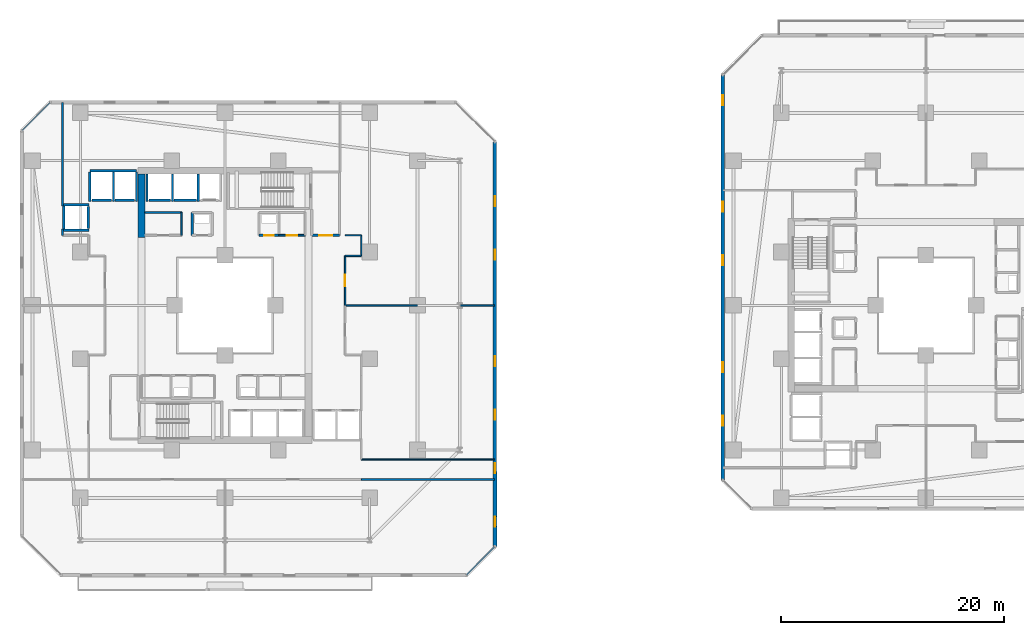
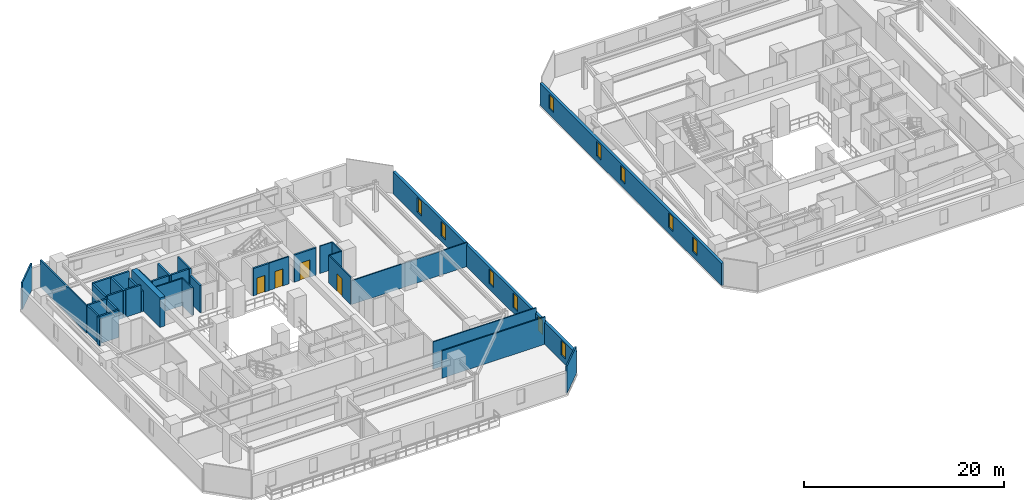
# One storey, part 22 of 34: 35 walls, 11 windows, 4 doors, 15 openings.
"""IFC4 building model written with IfcOpenShell, lengths in metres."""

from ifc_helpers import new_model, si_unit, direction, frame, frame_2d, origin, place, context, subcontext, project, spatial, rectangle, extrude, material, layer, layer_set, type_object, element, fill, save


model = new_model("IFC4")

# Units and contexts
model_context = context("Model", 3, precision=1e-05, world=origin(), true_north=direction((0.0, 1.0)))
body_context = subcontext(model_context, "Body", "Model", "MODEL_VIEW")
ifc_project = project(units=[si_unit("LENGTHUNIT", "METRE"), si_unit("AREAUNIT", "SQUARE_METRE"), si_unit("VOLUMEUNIT", "CUBIC_METRE"), si_unit("PLANEANGLEUNIT", "RADIAN"), si_unit("MASSUNIT", "GRAM", prefix="KILO")], contexts=[model_context])

# Site, building, storey
site_placement = place(None, origin())
site = spatial("IfcSite", under=ifc_project, at=site_placement, CompositionType="ELEMENT")
building_placement = place(site_placement, origin())
building = spatial("IfcBuilding", under=site, at=building_placement, Name="Thornwick Lancets Civic Towers", CompositionType="ELEMENT")
storey_placement = place(building_placement, frame((0.0, 0.0, 57.300048828125)))
storey = spatial("IfcBuildingStorey", under=building, at=storey_placement, Name="L14", CompositionType="ELEMENT", Elevation=57.300048828125)

# Walls
ifc_material_1 = material(Name="Concrete blockwork C40/50", Category="masonry")
ifc_layer_1 = layer(ifc_material_1, 0.199951171875, Name="Concrete blockwork C40/50")
ifc_layer_set_1 = layer_set([ifc_layer_1], Name="Concrete blockwork C40/50")
wall_type_1 = type_object("IfcWallType", Name="WALL_COMP_200", PredefinedType="STANDARD", material=ifc_layer_set_1)
wall_1_placement = place(storey_placement, frame((22.919921875, 36.449951171875, 0.0), z_axis=(0.0, 0.0, 1.0), x_axis=(-1.0, 0.0, 0.0)))
element("IfcWall", 1, at=wall_1_placement, inside=storey, type_object=wall_type_1, Name="L14 Hoistway Front Wall PL-AH2", PredefinedType="STANDARD", context=body_context, shape_type="SweptSolid", body=[
    extrude(rectangle(XDim=1.989990234375, YDim=0.199951171875, at=frame_2d((0.9951171875, 0.0))), origin(), (0.0, 0.0, 1.0), 3.33984375),
])
wall_2_placement = place(storey_placement, frame((20.6201171875, 36.449951171875, 0.0), z_axis=(0.0, 0.0, 1.0), x_axis=(-1.0, 0.0, 0.0)))
element("IfcWall", 2, at=wall_2_placement, inside=storey, type_object=wall_type_1, Name="L14 Hoistway Front Wall PL-AH3", PredefinedType="STANDARD", context=body_context, shape_type="SweptSolid", body=[
    extrude(rectangle(XDim=1.940185546875, YDim=0.199951171875, at=frame_2d((0.97021484375, 0.0))), origin(), (0.0, 0.0, 1.0), 3.33984375),
])
wall_3_placement = place(storey_placement, frame((17.3701171875, 36.449951171875, 0.0), z_axis=(0.0, 0.0, 1.0), x_axis=(-1.0, 0.0, 0.0)))
element("IfcWall", 3, at=wall_3_placement, inside=storey, type_object=wall_type_1, Name="L14 Hoistway Front Wall PL-AM1", PredefinedType="STANDARD", context=body_context, shape_type="SweptSolid", body=[
    extrude(rectangle(XDim=1.740234375, YDim=0.199951171875, at=frame_2d((0.8701171875, 0.0))), origin(), (0.0, 0.0, 1.0), 3.33984375),
])
wall_4_placement = place(storey_placement, frame((15.320068359375, 36.449951171875, 0.0), z_axis=(0.0, 0.0, 1.0), x_axis=(-1.0, 0.0, 0.0)))
element("IfcWall", 4, at=wall_4_placement, inside=storey, type_object=wall_type_1, Name="L14 Hoistway Front Wall PL-AM2", PredefinedType="STANDARD", context=body_context, shape_type="SweptSolid", body=[
    extrude(rectangle(XDim=1.7900390625, YDim=0.199951171875, at=frame_2d((0.89501953125, 0.0))), origin(), (0.0, 0.0, 1.0), 3.33984375),
])
wall_5_placement = place(storey_placement, frame((13.199951171875, 33.929931640625, 0.0), z_axis=(0.0, 0.0, 1.0), x_axis=(0.0, 1.0, 0.0)))
element("IfcWall", 5, at=wall_5_placement, inside=storey, type_object=wall_type_1, Name="L14 Hoistway Front Wall PL-AM3", PredefinedType="STANDARD", context=body_context, shape_type="SweptSolid", body=[
    extrude(rectangle(XDim=1.940185546875, YDim=0.199951171875, at=frame_2d((0.97021484375, 0.0))), origin(), (0.0, 0.0, 1.0), 3.33984375),
])
for number, where, z_axis, x_axis, name in (
    (6, (23.10009765625, 36.35205078125, 0.0), (0.0, 0.0, 1.0), (0.0, 1.0, 0.0), "L14 Hoistway Shaft Wall FL-A2 W"),
    (7, (20.77490234375, 36.35205078125, 0.0), (0.0, 0.0, 1.0), (0.0, 1.0, 0.0), "L14 Hoistway Shaft Wall PL-AH2 W"),
    (8, (18.5, 36.35205078125, 0.0), (0.0, 0.0, 1.0), (0.0, 1.0, 0.0), "L14 Hoistway Shaft Wall PL-AH3 W"),
):
    element("IfcWall", number, at=place(storey_placement, frame(where, z_axis=z_axis, x_axis=x_axis)), inside=storey, type_object=wall_type_1, Name=name, PredefinedType="STANDARD", context=body_context, shape_type="SweptSolid", body=[
        extrude(rectangle(XDim=2.43603515625, YDim=0.199951171875, at=frame_2d((1.218017578125, 0.0))), origin(), (0.0, 0.0, 1.0), 3.33984375),
    ])
wall_6_placement = place(storey_placement, frame((13.35205078125, 39.10009765625, 0.0), z_axis=(0.0, 0.0, 1.0), x_axis=(1.0, 0.0, 0.0)))
element("IfcWall", 9, at=wall_6_placement, inside=storey, type_object=wall_type_1, Name="L14 Hoistway Shaft Wall PL-AM1 N", PredefinedType="STANDARD", context=body_context, shape_type="SweptSolid", body=[
    extrude(rectangle(XDim=4.196044921875, YDim=0.199951171875, at=frame_2d((2.09814453125, 0.0))), origin(), (0.0, 0.0, 1.0), 3.33984375),
])
wall_7_placement = place(storey_placement, frame((17.550048828125, 36.35205078125, 0.0), z_axis=(0.0, 0.0, 1.0), x_axis=(0.0, 1.0, 0.0)))
element("IfcWall", 10, at=wall_7_placement, inside=storey, type_object=wall_type_1, Name="L14 Hoistway Shaft Wall PL-AM1 E", PredefinedType="STANDARD", context=body_context, shape_type="SweptSolid", body=[
    extrude(rectangle(XDim=2.635986328125, YDim=0.199951171875, at=frame_2d((1.31787109375, 0.0))), origin(), (0.0, 0.0, 1.0), 2.544921875),
])
for number, where, z_axis, x_axis, name in (
    (11, (15.47509765625, 36.35205078125, 0.0), (0.0, 0.0, 1.0), (0.0, 1.0, 0.0), "L14 Hoistway Shaft Wall PL-AM1 W"),
    (12, (13.35009765625, 36.35205078125, 0.0), (0.0, 0.0, 1.0), (0.0, 1.0, 0.0), "L14 Hoistway Shaft Wall PL-AM2 W"),
):
    element("IfcWall", number, at=place(storey_placement, frame(where, z_axis=z_axis, x_axis=x_axis)), inside=storey, type_object=wall_type_1, Name=name, PredefinedType="STANDARD", context=body_context, shape_type="SweptSolid", body=[
        extrude(rectangle(XDim=2.635986328125, YDim=0.199951171875, at=frame_2d((1.31787109375, 0.0))), origin(), (0.0, 0.0, 1.0), 3.33984375),
    ])
for number, where, z_axis, x_axis, name in (
    (13, (11.001953125, 36.050048828125, 0.0), (0.0, 0.0, 1.0), (1.0, 0.0, 0.0), "L14 Hoistway Shaft Wall PL-AM3 N"),
    (14, (11.001953125, 33.75, 0.0), (0.0, 0.0, 1.0), (1.0, 0.0, 0.0), "L14 Hoistway Shaft Wall PL-AM3 S"),
):
    element("IfcWall", number, at=place(storey_placement, frame(where, z_axis=z_axis, x_axis=x_axis)), inside=storey, type_object=wall_type_1, Name=name, PredefinedType="STANDARD", context=body_context, shape_type="SweptSolid", body=[
        extrude(rectangle(XDim=2.296142578125, YDim=0.199951171875, at=frame_2d((1.14794921875, 0.0))), origin(), (0.0, 0.0, 1.0), 3.33984375),
    ])
wall_8_placement = place(storey_placement, frame((11.0, 33.862060546875, 0.0), z_axis=(0.0, 0.0, 1.0), x_axis=(0.0, 1.0, 0.0)))
element("IfcWall", 15, at=wall_8_placement, inside=storey, type_object=wall_type_1, Name="L14 Hoistway Shaft Wall PL-AM3 W", PredefinedType="STANDARD", context=body_context, shape_type="SweptSolid", body=[
    extrude(rectangle(XDim=2.075927734375, YDim=0.199951171875, at=frame_2d((1.0380859375, 0.0))), origin(), (0.0, 0.0, 1.0), 3.33984375),
])

# Wall, opening, door
wall_9_placement = place(storey_placement, frame((33.300048828125, 33.300048828125, 0.0), z_axis=(0.0, 0.0, 1.0), x_axis=(1.0, 0.0, 0.0)))
wall_9 = element("IfcWall", 16, at=wall_9_placement, inside=storey, type_object=wall_type_1, Name="L14 Partition L14-A-FFLOB2 E1", PredefinedType="STANDARD", context=body_context, shape_type="SweptSolid", body=[
    extrude(rectangle(XDim=2.5, YDim=0.199951171875, at=frame_2d((1.25, 0.0))), origin(), (0.0, 0.0, 1.0), 3.33984375),
])
opening_1_placement = place(wall_9_placement, frame((0.675048828125, 0.0, 0.0)))
opening_1 = element("IfcOpeningElement", 17, at=opening_1_placement, cuts=wall_9, Name="Opening D-L14-0664", PredefinedType="OPENING", context=body_context, shape_type="SweptSolid", body=[
    extrude(rectangle(XDim=1.14990234375, YDim=2.10009765625, at=frame_2d((0.574951171875, 1.050048828125))), frame((0.0, 0.10986328125, 0.0), z_axis=(0.0, -1.0, 0.0), x_axis=(1.0, 0.0, 0.0)), (0.0, 0.0, 1.0), 0.219970703125),
])
ifc_material_2 = material(Name="Glazed fire-resisting steel", Category="steel")
door_type_1 = type_object("IfcDoorType", Name="DOOR_LOBBY_FD60", OperationType="NOTDEFINED", PredefinedType="DOOR", material=ifc_material_2)
door_1_placement = place(opening_1_placement, origin())
door_1 = element("IfcDoor", 18, at=door_1_placement, inside=storey, type_object=door_type_1, Name="L14 North Firefighting Lobby 2 Door", OperationType="SINGLE_SWING_LEFT", OverallHeight=2.10009765625, OverallWidth=1.14990234375, PredefinedType="DOOR", context=body_context, shape_type="SweptSolid", body=[
    extrude(rectangle(XDim=1.14990234375, YDim=2.10009765625, at=frame_2d((0.574951171875, 1.050048828125))), frame((0.0, 0.02490234375, 0.0), z_axis=(0.0, -1.0, 0.0), x_axis=(1.0, 0.0, 0.0)), (0.0, 0.0, 1.0), 0.050048828125),
])
fill(opening_1, door_1)

# Wall
wall_10_placement = place(storey_placement, frame((22.550048828125, 35.35009765625, 0.0), z_axis=(0.0, 0.0, 1.0), x_axis=(0.0, -1.0, 0.0)))
element("IfcWall", 19, at=wall_10_placement, inside=storey, type_object=wall_type_1, Name="L14 Partition L14-A-DUCT2 E4", PredefinedType="STANDARD", context=body_context, shape_type="SweptSolid", body=[
    extrude(rectangle(XDim=2.050048828125, YDim=0.199951171875, at=frame_2d((1.02490234375, 0.0))), origin(), (0.0, 0.0, 1.0), 3.33984375),
])

# Wall, opening, door
wall_11_placement = place(storey_placement, frame((28.550048828125, 33.300048828125, 0.0), z_axis=(0.0, 0.0, 1.0), x_axis=(1.0, 0.0, 0.0)))
wall_11 = element("IfcWall", 20, at=wall_11_placement, inside=storey, type_object=wall_type_1, Name="L14 Partition L14-A-RISER2 E1", PredefinedType="STANDARD", context=body_context, shape_type="SweptSolid", body=[
    extrude(rectangle(XDim=1.800048828125, YDim=0.199951171875, at=frame_2d((0.89990234375, 0.0))), origin(), (0.0, 0.0, 1.0), 3.33984375),
])
opening_2_placement = place(wall_11_placement, frame((0.4599609375, 0.0, 0.0)))
opening_2 = element("IfcOpeningElement", 21, at=opening_2_placement, cuts=wall_11, Name="Opening D-L14-0668", PredefinedType="OPENING", context=body_context, shape_type="SweptSolid", body=[
    extrude(rectangle(XDim=0.8798828125, YDim=2.0400390625, at=frame_2d((0.43994140625, 1.02001953125))), frame((0.0, 0.10986328125, 0.0), z_axis=(0.0, -1.0, 0.0), x_axis=(1.0, 0.0, 0.0)), (0.0, 0.0, 1.0), 0.219970703125),
])
ifc_material_3 = material(Name="Steel riser access doorset", Category="steel")
door_type_2 = type_object("IfcDoorType", Name="DOOR_RISER_850", OperationType="NOTDEFINED", PredefinedType="DOOR", material=ifc_material_3)
door_2_placement = place(opening_2_placement, origin())
door_2 = element("IfcDoor", 22, at=door_2_placement, inside=storey, type_object=door_type_2, Name="L14 North Service Riser 2 Door", OperationType="SINGLE_SWING_LEFT", OverallHeight=2.0400390625, OverallWidth=0.8798828125, PredefinedType="DOOR", context=body_context, shape_type="SweptSolid", body=[
    extrude(rectangle(XDim=0.8798828125, YDim=2.0400390625, at=frame_2d((0.43994140625, 1.02001953125))), frame((0.0, 0.02490234375, 0.0), z_axis=(0.0, -1.0, 0.0), x_axis=(1.0, 0.0, 0.0)), (0.0, 0.0, 1.0), 0.050048828125),
])
fill(opening_2, door_2)

# Wall
ifc_material_4 = material(Name="Concrete C60/75", Category="concrete")
ifc_layer_2 = layer(ifc_material_4, 0.60009765625, Name="Concrete C60/75")
ifc_layer_set_2 = layer_set([ifc_layer_2], Name="Concrete C60/75")
wall_type_2 = type_object("IfcWallType", Name="WALL_CORE_600", PredefinedType="SHEAR", material=ifc_layer_set_2)
wall_12_placement = place(storey_placement, frame((18.0, 33.10009765625, 0.0), z_axis=(0.0, 0.0, 1.0), x_axis=(0.0, 1.0, 0.0)))
element("IfcWall", 23, at=wall_12_placement, inside=storey, type_object=wall_type_2, Name="L14 Split Core A2 Shear Wall W", PredefinedType="SHEAR", context=body_context, shape_type="SweptSolid", body=[
    extrude(rectangle(XDim=5.699951171875, YDim=0.60009765625, at=frame_2d((2.85009765625, 0.0))), origin(), (0.0, 0.0, 1.0), 3.599853515625),
])

# Wall, openings, windows
ifc_material_5 = material(Name="Insulated buff terracotta rainscreen on concrete C40/50", Category="masonry")
ifc_layer_3 = layer(ifc_material_5, 0.320068359375, Name="Insulated buff terracotta rainscreen on concrete C40/50")
ifc_layer_set_3 = layer_set([ifc_layer_3], Name="Insulated buff terracotta rainscreen on concrete C40/50")
wall_type_3 = type_object("IfcWallType", Name="WALL_EXT_TERRA_320", PredefinedType="STANDARD", material=ifc_layer_set_3)
wall_13_placement = place(storey_placement, frame((49.764892578125, 5.31884765625, 0.0), z_axis=(0.0, 0.0, 1.0), x_axis=(-8.7231344e-05, 0.999999996195, 0.0)))
wall_13 = element("IfcWall", 24, at=wall_13_placement, inside=storey, type_object=wall_type_3, Name="L14 Tower A Terracotta Facade Wall E2", PredefinedType="STANDARD", context=body_context, shape_type="SweptSolid", body=[
    extrude(rectangle(XDim=36.384033203125, YDim=0.320068359375, at=frame_2d((18.19189453125, 0.0))), origin(), (0.0, 0.0, 1.0), 2.699951171875),
])
opening_3_placement = place(wall_13_placement, frame((1.800048828125, 0.0, 0.719970703125)))
opening_3 = element("IfcOpeningElement", 25, at=opening_3_placement, cuts=wall_13, Name="Opening WL-01", PredefinedType="OPENING", context=body_context, shape_type="SweptSolid", body=[
    extrude(rectangle(XDim=0.89990234375, YDim=1.75, at=frame_2d((0.449951171875, 0.875))), frame((0.0, 0.169921875, 0.0), z_axis=(0.0, -1.0, 0.0), x_axis=(1.0, 0.0, 0.0)), (0.0, 0.0, 1.0), 0.340087890625),
])
opening_4_placement = place(wall_13_placement, frame((6.60009765625, 0.0, 0.719970703125)))
opening_4 = element("IfcOpeningElement", 26, at=opening_4_placement, cuts=wall_13, Name="Opening WL-01", PredefinedType="OPENING", context=body_context, shape_type="SweptSolid", body=[
    extrude(rectangle(XDim=0.89990234375, YDim=1.75, at=frame_2d((0.449951171875, 0.875))), frame((0.0, 0.169921875, 0.0), z_axis=(0.0, -1.0, 0.0), x_axis=(1.0, 0.0, 0.0)), (0.0, 0.0, 1.0), 0.340087890625),
])
opening_5_placement = place(wall_13_placement, frame((11.39990234375, 0.0, 0.719970703125)))
opening_5 = element("IfcOpeningElement", 27, at=opening_5_placement, cuts=wall_13, Name="Opening WL-01", PredefinedType="OPENING", context=body_context, shape_type="SweptSolid", body=[
    extrude(rectangle(XDim=0.89990234375, YDim=1.75, at=frame_2d((0.449951171875, 0.875))), frame((0.0, 0.169921875, 0.0), z_axis=(0.0, -1.0, 0.0), x_axis=(1.0, 0.0, 0.0)), (0.0, 0.0, 1.0), 0.340087890625),
])
opening_6_placement = place(wall_13_placement, frame((16.199951171875, 0.0, 0.719970703125)))
opening_6 = element("IfcOpeningElement", 28, at=opening_6_placement, cuts=wall_13, Name="Opening WL-01", PredefinedType="OPENING", context=body_context, shape_type="SweptSolid", body=[
    extrude(rectangle(XDim=0.89990234375, YDim=1.75, at=frame_2d((0.449951171875, 0.875))), frame((0.0, 0.169921875, 0.0), z_axis=(0.0, -1.0, 0.0), x_axis=(1.0, 0.0, 0.0)), (0.0, 0.0, 1.0), 0.340087890625),
])
opening_7_placement = place(wall_13_placement, frame((25.800048828125, 0.0, 0.719970703125)))
opening_7 = element("IfcOpeningElement", 29, at=opening_7_placement, cuts=wall_13, Name="Opening WL-01", PredefinedType="OPENING", context=body_context, shape_type="SweptSolid", body=[
    extrude(rectangle(XDim=0.89990234375, YDim=1.75, at=frame_2d((0.449951171875, 0.875))), frame((0.0, 0.169921875, 0.0), z_axis=(0.0, -1.0, 0.0), x_axis=(1.0, 0.0, 0.0)), (0.0, 0.0, 1.0), 0.340087890625),
])
opening_8_placement = place(wall_13_placement, frame((30.60009765625, 0.0, 0.719970703125)))
opening_8 = element("IfcOpeningElement", 30, at=opening_8_placement, cuts=wall_13, Name="Opening WL-01", PredefinedType="OPENING", context=body_context, shape_type="SweptSolid", body=[
    extrude(rectangle(XDim=0.89990234375, YDim=1.75, at=frame_2d((0.449951171875, 0.875))), frame((0.0, 0.169921875, 0.0), z_axis=(0.0, -1.0, 0.0), x_axis=(1.0, 0.0, 0.0)), (0.0, 0.0, 1.0), 0.340087890625),
])
ifc_material_6 = material(Name="Clear low-e double glazing in bronze frame", Category="glass")
window_type = type_object("IfcWindowType", Name="WIN_LANCET_900", PartitioningType="SINGLE_PANEL", PredefinedType="WINDOW", material=ifc_material_6)
window_1_placement = place(opening_3_placement, origin())
window_1 = element("IfcWindow", 31, at=window_1_placement, inside=storey, type_object=window_type, Name="L14 Tower A Staggered Lancet Window E2-1", OverallHeight=1.75, OverallWidth=0.89990234375, PartitioningType="SINGLE_PANEL", PredefinedType="WINDOW", context=body_context, shape_type="SweptSolid", body=[
    extrude(rectangle(XDim=0.89990234375, YDim=1.75, at=frame_2d((0.449951171875, 0.875))), frame((0.0, 0.030029296875, 0.0), z_axis=(0.0, -1.0, 0.0), x_axis=(1.0, 0.0, 0.0)), (0.0, 0.0, 1.0), 0.06005859375),
])
fill(opening_3, window_1)
window_2_placement = place(opening_4_placement, origin())
window_2 = element("IfcWindow", 32, at=window_2_placement, inside=storey, type_object=window_type, Name="L14 Tower A Staggered Lancet Window E2-2", OverallHeight=1.75, OverallWidth=0.89990234375, PartitioningType="SINGLE_PANEL", PredefinedType="WINDOW", context=body_context, shape_type="SweptSolid", body=[
    extrude(rectangle(XDim=0.89990234375, YDim=1.75, at=frame_2d((0.449951171875, 0.875))), frame((0.0, 0.030029296875, 0.0), z_axis=(0.0, -1.0, 0.0), x_axis=(1.0, 0.0, 0.0)), (0.0, 0.0, 1.0), 0.06005859375),
])
fill(opening_4, window_2)
window_3_placement = place(opening_5_placement, origin())
window_3 = element("IfcWindow", 33, at=window_3_placement, inside=storey, type_object=window_type, Name="L14 Tower A Staggered Lancet Window E2-3", OverallHeight=1.75, OverallWidth=0.89990234375, PartitioningType="SINGLE_PANEL", PredefinedType="WINDOW", context=body_context, shape_type="SweptSolid", body=[
    extrude(rectangle(XDim=0.89990234375, YDim=1.75, at=frame_2d((0.449951171875, 0.875))), frame((0.0, 0.030029296875, 0.0), z_axis=(0.0, -1.0, 0.0), x_axis=(1.0, 0.0, 0.0)), (0.0, 0.0, 1.0), 0.06005859375),
])
fill(opening_5, window_3)
window_4_placement = place(opening_6_placement, origin())
window_4 = element("IfcWindow", 34, at=window_4_placement, inside=storey, type_object=window_type, Name="L14 Tower A Staggered Lancet Window E2-4", OverallHeight=1.75, OverallWidth=0.89990234375, PartitioningType="SINGLE_PANEL", PredefinedType="WINDOW", context=body_context, shape_type="SweptSolid", body=[
    extrude(rectangle(XDim=0.89990234375, YDim=1.75, at=frame_2d((0.449951171875, 0.875))), frame((0.0, 0.030029296875, 0.0), z_axis=(0.0, -1.0, 0.0), x_axis=(1.0, 0.0, 0.0)), (0.0, 0.0, 1.0), 0.06005859375),
])
fill(opening_6, window_4)
window_5_placement = place(opening_7_placement, origin())
window_5 = element("IfcWindow", 35, at=window_5_placement, inside=storey, type_object=window_type, Name="L14 Tower A Staggered Lancet Window E2-5", OverallHeight=1.75, OverallWidth=0.89990234375, PartitioningType="SINGLE_PANEL", PredefinedType="WINDOW", context=body_context, shape_type="SweptSolid", body=[
    extrude(rectangle(XDim=0.89990234375, YDim=1.75, at=frame_2d((0.449951171875, 0.875))), frame((0.0, 0.030029296875, 0.0), z_axis=(0.0, -1.0, 0.0), x_axis=(1.0, 0.0, 0.0)), (0.0, 0.0, 1.0), 0.06005859375),
])
fill(opening_7, window_5)
window_6_placement = place(opening_8_placement, origin())
window_6 = element("IfcWindow", 36, at=window_6_placement, inside=storey, type_object=window_type, Name="L14 Tower A Staggered Lancet Window E2-6", OverallHeight=1.75, OverallWidth=0.89990234375, PartitioningType="SINGLE_PANEL", PredefinedType="WINDOW", context=body_context, shape_type="SweptSolid", body=[
    extrude(rectangle(XDim=0.89990234375, YDim=1.75, at=frame_2d((0.449951171875, 0.875))), frame((0.0, 0.030029296875, 0.0), z_axis=(0.0, -1.0, 0.0), x_axis=(1.0, 0.0, 0.0)), (0.0, 0.0, 1.0), 0.06005859375),
])
fill(opening_8, window_6)

wall_14_placement = place(storey_placement, frame((70.23828125, 47.702880859375, 0.0), z_axis=(0.0, 0.0, 1.0), x_axis=(-8.7231344e-05, -0.999999996195, 0.0)))
wall_14 = element("IfcWall", 37, at=wall_14_placement, inside=storey, type_object=wall_type_3, Name="L14 Tower B Terracotta Facade Wall E6", PredefinedType="STANDARD", context=body_context, shape_type="SweptSolid", body=[
    extrude(rectangle(XDim=36.384033203125, YDim=0.320068359375, at=frame_2d((18.19189453125, 0.0))), origin(), (0.0, 0.0, 1.0), 2.699951171875),
])
opening_9_placement = place(wall_14_placement, frame((1.800048828125, 0.0, 0.719970703125)))
opening_9 = element("IfcOpeningElement", 38, at=opening_9_placement, cuts=wall_14, Name="Opening WL-01", PredefinedType="OPENING", context=body_context, shape_type="SweptSolid", body=[
    extrude(rectangle(XDim=0.89990234375, YDim=1.75, at=frame_2d((0.449951171875, 0.875))), frame((0.0, 0.169921875, 0.0), z_axis=(0.0, -1.0, 0.0), x_axis=(1.0, 0.0, 0.0)), (0.0, 0.0, 1.0), 0.340087890625),
])
opening_10_placement = place(wall_14_placement, frame((11.39990234375, 0.0, 0.719970703125)))
opening_10 = element("IfcOpeningElement", 39, at=opening_10_placement, cuts=wall_14, Name="Opening WL-01", PredefinedType="OPENING", context=body_context, shape_type="SweptSolid", body=[
    extrude(rectangle(XDim=0.89990234375, YDim=1.75, at=frame_2d((0.449951171875, 0.875))), frame((0.0, 0.169921875, 0.0), z_axis=(0.0, -1.0, 0.0), x_axis=(1.0, 0.0, 0.0)), (0.0, 0.0, 1.0), 0.340087890625),
])
opening_11_placement = place(wall_14_placement, frame((16.199951171875, 0.0, 0.719970703125)))
opening_11 = element("IfcOpeningElement", 40, at=opening_11_placement, cuts=wall_14, Name="Opening WL-01", PredefinedType="OPENING", context=body_context, shape_type="SweptSolid", body=[
    extrude(rectangle(XDim=0.89990234375, YDim=1.75, at=frame_2d((0.449951171875, 0.875))), frame((0.0, 0.169921875, 0.0), z_axis=(0.0, -1.0, 0.0), x_axis=(1.0, 0.0, 0.0)), (0.0, 0.0, 1.0), 0.340087890625),
])
opening_12_placement = place(wall_14_placement, frame((25.800048828125, 0.0, 0.719970703125)))
opening_12 = element("IfcOpeningElement", 41, at=opening_12_placement, cuts=wall_14, Name="Opening WL-01", PredefinedType="OPENING", context=body_context, shape_type="SweptSolid", body=[
    extrude(rectangle(XDim=0.89990234375, YDim=1.75, at=frame_2d((0.449951171875, 0.875))), frame((0.0, 0.169921875, 0.0), z_axis=(0.0, -1.0, 0.0), x_axis=(1.0, 0.0, 0.0)), (0.0, 0.0, 1.0), 0.340087890625),
])
opening_13_placement = place(wall_14_placement, frame((30.60009765625, 0.0, 0.719970703125)))
opening_13 = element("IfcOpeningElement", 42, at=opening_13_placement, cuts=wall_14, Name="Opening WL-01", PredefinedType="OPENING", context=body_context, shape_type="SweptSolid", body=[
    extrude(rectangle(XDim=0.89990234375, YDim=1.75, at=frame_2d((0.449951171875, 0.875))), frame((0.0, 0.169921875, 0.0), z_axis=(0.0, -1.0, 0.0), x_axis=(1.0, 0.0, 0.0)), (0.0, 0.0, 1.0), 0.340087890625),
])
window_7_placement = place(opening_9_placement, origin())
window_7 = element("IfcWindow", 43, at=window_7_placement, inside=storey, type_object=window_type, Name="L14 Tower B Staggered Lancet Window E6-1", OverallHeight=1.75, OverallWidth=0.89990234375, PartitioningType="SINGLE_PANEL", PredefinedType="WINDOW", context=body_context, shape_type="SweptSolid", body=[
    extrude(rectangle(XDim=0.89990234375, YDim=1.75, at=frame_2d((0.449951171875, 0.875))), frame((0.0, 0.030029296875, 0.0), z_axis=(0.0, -1.0, 0.0), x_axis=(1.0, 0.0, 0.0)), (0.0, 0.0, 1.0), 0.06005859375),
])
fill(opening_9, window_7)
window_8_placement = place(opening_10_placement, origin())
window_8 = element("IfcWindow", 44, at=window_8_placement, inside=storey, type_object=window_type, Name="L14 Tower B Staggered Lancet Window E6-2", OverallHeight=1.75, OverallWidth=0.89990234375, PartitioningType="SINGLE_PANEL", PredefinedType="WINDOW", context=body_context, shape_type="SweptSolid", body=[
    extrude(rectangle(XDim=0.89990234375, YDim=1.75, at=frame_2d((0.449951171875, 0.875))), frame((0.0, 0.030029296875, 0.0), z_axis=(0.0, -1.0, 0.0), x_axis=(1.0, 0.0, 0.0)), (0.0, 0.0, 1.0), 0.06005859375),
])
fill(opening_10, window_8)
window_9_placement = place(opening_11_placement, origin())
window_9 = element("IfcWindow", 45, at=window_9_placement, inside=storey, type_object=window_type, Name="L14 Tower B Staggered Lancet Window E6-3", OverallHeight=1.75, OverallWidth=0.89990234375, PartitioningType="SINGLE_PANEL", PredefinedType="WINDOW", context=body_context, shape_type="SweptSolid", body=[
    extrude(rectangle(XDim=0.89990234375, YDim=1.75, at=frame_2d((0.449951171875, 0.875))), frame((0.0, 0.030029296875, 0.0), z_axis=(0.0, -1.0, 0.0), x_axis=(1.0, 0.0, 0.0)), (0.0, 0.0, 1.0), 0.06005859375),
])
fill(opening_11, window_9)
window_10_placement = place(opening_12_placement, origin())
window_10 = element("IfcWindow", 46, at=window_10_placement, inside=storey, type_object=window_type, Name="L14 Tower B Staggered Lancet Window E6-4", OverallHeight=1.75, OverallWidth=0.89990234375, PartitioningType="SINGLE_PANEL", PredefinedType="WINDOW", context=body_context, shape_type="SweptSolid", body=[
    extrude(rectangle(XDim=0.89990234375, YDim=1.75, at=frame_2d((0.449951171875, 0.875))), frame((0.0, 0.030029296875, 0.0), z_axis=(0.0, -1.0, 0.0), x_axis=(1.0, 0.0, 0.0)), (0.0, 0.0, 1.0), 0.06005859375),
])
fill(opening_12, window_10)
window_11_placement = place(opening_13_placement, origin())
window_11 = element("IfcWindow", 47, at=window_11_placement, inside=storey, type_object=window_type, Name="L14 Tower B Staggered Lancet Window E6-5", OverallHeight=1.75, OverallWidth=0.89990234375, PartitioningType="SINGLE_PANEL", PredefinedType="WINDOW", context=body_context, shape_type="SweptSolid", body=[
    extrude(rectangle(XDim=0.89990234375, YDim=1.75, at=frame_2d((0.449951171875, 0.875))), frame((0.0, 0.030029296875, 0.0), z_axis=(0.0, -1.0, 0.0), x_axis=(1.0, 0.0, 0.0)), (0.0, 0.0, 1.0), 0.06005859375),
])
fill(opening_13, window_11)

# Walls
ifc_material_7 = material(Name="Acoustic gypsum board partition")
ifc_layer_4 = layer(ifc_material_7, 0.1201171875, Name="Acoustic gypsum board partition")
ifc_layer_set_4 = layer_set([ifc_layer_4], Name="Acoustic gypsum board partition")
wall_type_4 = type_object("IfcWallType", Name="WALL_PART_120", PredefinedType="PARTITIONING", material=ifc_layer_set_4)
wall_15_placement = place(storey_placement, frame((36.300048828125, 27.0, 0.0), z_axis=(0.0, 0.0, 1.0), x_axis=(1.0, 0.0, 0.0)))
element("IfcWall", 48, at=wall_15_placement, inside=storey, type_object=wall_type_4, Name="L14 Partition L14-A-E1 E5", PredefinedType="PARTITIONING", context=body_context, shape_type="SweptSolid", body=[
    extrude(rectangle(XDim=13.419921875, YDim=0.1201171875, at=frame_2d((6.7099609375, 0.0))), origin(), (0.0, 0.0, 1.0), 2.93212890625),
])
wall_16_placement = place(storey_placement, frame((49.719970703125, 13.14990234375, 0.0), z_axis=(0.0, 0.0, 1.0), x_axis=(-1.0, 0.0, 0.0)))
element("IfcWall", 49, at=wall_16_placement, inside=storey, type_object=wall_type_4, Name="L14 Partition L14-A-E1 E7", PredefinedType="PARTITIONING", context=body_context, shape_type="SweptSolid", body=[
    extrude(rectangle(XDim=11.969970703125, YDim=0.1201171875, at=frame_2d((5.98486328125, 0.0))), origin(), (0.0, 0.0, 1.0), 3.33984375),
])
wall_17_placement = place(storey_placement, frame((36.300048828125, 31.449951171875, 0.0), z_axis=(0.0, 0.0, 1.0), x_axis=(1.0, 0.0, 0.0)))
element("IfcWall", 50, at=wall_17_placement, inside=storey, type_object=wall_type_4, Name="L14 Partition L14-A-E2 E1", PredefinedType="PARTITIONING", context=body_context, shape_type="SweptSolid", body=[
    extrude(rectangle(XDim=1.449951171875, YDim=0.1201171875, at=frame_2d((0.72509765625, 0.0))), origin(), (0.0, 0.0, 1.0), 3.33984375),
])
wall_18_placement = place(storey_placement, frame((37.75, 31.449951171875, 0.0), z_axis=(0.0, 0.0, 1.0), x_axis=(0.0, 1.0, 0.0)))
element("IfcWall", 51, at=wall_18_placement, inside=storey, type_object=wall_type_4, Name="L14 Partition L14-A-E2 E2", PredefinedType="PARTITIONING", context=body_context, shape_type="SweptSolid", body=[
    extrude(rectangle(XDim=1.85009765625, YDim=0.1201171875, at=frame_2d((0.925048828125, 0.0))), origin(), (0.0, 0.0, 1.0), 3.33984375),
])
wall_19_placement = place(storey_placement, frame((37.75, 33.300048828125, 0.0), z_axis=(0.0, 0.0, 1.0), x_axis=(-1.0, 0.0, 0.0)))
element("IfcWall", 52, at=wall_19_placement, inside=storey, type_object=wall_type_4, Name="L14 Partition L14-A-E2 E3", PredefinedType="PARTITIONING", context=body_context, shape_type="SweptSolid", body=[
    extrude(rectangle(XDim=1.449951171875, YDim=0.1201171875, at=frame_2d((0.72509765625, 0.0))), origin(), (0.0, 0.0, 1.0), 3.33984375),
])

# Wall, opening, door
wall_20_placement = place(storey_placement, frame((36.300048828125, 27.0, 0.0), z_axis=(0.0, 0.0, 1.0), x_axis=(0.0, 1.0, 0.0)))
wall_20 = element("IfcWall", 53, at=wall_20_placement, inside=storey, type_object=wall_type_4, Name="L14 Partition L14-A-E2 E10", PredefinedType="PARTITIONING", context=body_context, shape_type="SweptSolid", body=[
    extrude(rectangle(XDim=4.449951171875, YDim=0.1201171875, at=frame_2d((2.22509765625, 0.0))), origin(), (0.0, 0.0, 1.0), 3.33984375),
])
opening_14_placement = place(wall_20_placement, frame((1.699951171875, 0.0, 0.0)))
opening_14 = element("IfcOpeningElement", 54, at=opening_14_placement, cuts=wall_20, Name="Opening D-L14-0690", PredefinedType="OPENING", context=body_context, shape_type="SweptSolid", body=[
    extrude(rectangle(XDim=1.050048828125, YDim=2.10009765625, at=frame_2d((0.52490234375, 1.050048828125))), frame((0.0, 0.070068359375, 0.0), z_axis=(0.0, -1.0, 0.0), x_axis=(1.0, 0.0, 0.0)), (0.0, 0.0, 1.0), 0.14013671875),
])
ifc_material_8 = material(Name="Glazed European oak executive doorset")
door_type_3 = type_object("IfcDoorType", Name="DOOR_OFFICE_1050", OperationType="NOTDEFINED", PredefinedType="DOOR", material=ifc_material_8)
door_3_placement = place(opening_14_placement, origin())
door_3 = element("IfcDoor", 55, at=door_3_placement, inside=storey, type_object=door_type_3, Name="L14 Tower A Visitors Reception and Waiting Door", OperationType="SINGLE_SWING_LEFT", OverallHeight=2.10009765625, OverallWidth=1.050048828125, PredefinedType="DOOR", context=body_context, shape_type="SweptSolid", body=[
    extrude(rectangle(XDim=1.050048828125, YDim=2.10009765625, at=frame_2d((0.52490234375, 1.050048828125))), frame((0.0, 0.02490234375, 0.0), z_axis=(0.0, -1.0, 0.0), x_axis=(1.0, 0.0, 0.0)), (0.0, 0.0, 1.0), 0.050048828125),
])
fill(opening_14, door_3)

# Walls
ifc_material_9 = material(Name="Twin-stud acoustic gypsum board")
ifc_layer_5 = layer(ifc_material_9, 0.14990234375, Name="Twin-stud acoustic gypsum board")
ifc_layer_set_5 = layer_set([ifc_layer_5], Name="Twin-stud acoustic gypsum board")
wall_type_5 = type_object("IfcWallType", Name="WALL_PART_150", PredefinedType="PARTITIONING", material=ifc_layer_set_5)
wall_21_placement = place(storey_placement, frame((21.60009765625, 33.300048828125, 0.0), z_axis=(0.0, 0.0, 1.0), x_axis=(0.0, 1.0, 0.0)))
element("IfcWall", 56, at=wall_21_placement, inside=storey, type_object=wall_type_5, Name="L14 Partition L14-A-MWC E2", PredefinedType="PARTITIONING", context=body_context, shape_type="SweptSolid", body=[
    extrude(rectangle(XDim=2.050048828125, YDim=0.14990234375, at=frame_2d((1.02490234375, 0.0))), origin(), (0.0, 0.0, 1.0), 3.33984375),
])
wall_22_placement = place(storey_placement, frame((21.60009765625, 35.35009765625, 0.0), z_axis=(0.0, 0.0, 1.0), x_axis=(-1.0, 0.0, 0.0)))
element("IfcWall", 57, at=wall_22_placement, inside=storey, type_object=wall_type_5, Name="L14 Partition L14-A-MWC E3", PredefinedType="PARTITIONING", context=body_context, shape_type="SweptSolid", body=[
    extrude(rectangle(XDim=3.300048828125, YDim=0.14990234375, at=frame_2d((1.64990234375, 0.0))), origin(), (0.0, 0.0, 1.0), 3.33984375),
])

# Wall, opening, door
wall_23_placement = place(storey_placement, frame((32.699951171875, 33.300048828125, 0.0), z_axis=(0.0, 0.0, 1.0), x_axis=(-1.0, 0.0, 0.0)))
wall_23 = element("IfcWall", 58, at=wall_23_placement, inside=storey, type_object=wall_type_5, Name="L14 Partition L14-A-FWC E2", PredefinedType="PARTITIONING", context=body_context, shape_type="SweptSolid", body=[
    extrude(rectangle(XDim=2.349853515625, YDim=0.14990234375, at=frame_2d((1.1748046875, 0.0))), origin(), (0.0, 0.0, 1.0), 3.33984375),
])
opening_15_placement = place(wall_23_placement, frame((0.715087890625, 0.0, 0.0)))
opening_15 = element("IfcOpeningElement", 59, at=opening_15_placement, cuts=wall_23, Name="Opening D-L14-0674", PredefinedType="OPENING", context=body_context, shape_type="SweptSolid", body=[
    extrude(rectangle(XDim=0.919921875, YDim=2.080078125, at=frame_2d((0.4599609375, 1.0400390625))), frame((0.0, 0.0849609375, 0.0), z_axis=(0.0, -1.0, 0.0), x_axis=(1.0, 0.0, 0.0)), (0.0, 0.0, 1.0), 0.169921875),
])
ifc_material_10 = material(Name="Moisture-resistant oak doorset")
door_type_4 = type_object("IfcDoorType", Name="DOOR_WC_900", OperationType="NOTDEFINED", PredefinedType="DOOR", material=ifc_material_10)
door_4_placement = place(opening_15_placement, origin())
door_4 = element("IfcDoor", 60, at=door_4_placement, inside=storey, type_object=door_type_4, Name="L14 Tower A Female WC Door", OperationType="SINGLE_SWING_LEFT", OverallHeight=2.080078125, OverallWidth=0.919921875, PredefinedType="DOOR", context=body_context, shape_type="SweptSolid", body=[
    extrude(rectangle(XDim=0.919921875, YDim=2.080078125, at=frame_2d((0.4599609375, 1.0400390625))), frame((0.0, 0.02490234375, 0.0), z_axis=(0.0, -1.0, 0.0), x_axis=(1.0, 0.0, 0.0)), (0.0, 0.0, 1.0), 0.050048828125),
])
fill(opening_15, door_4)

# Walls
wall_24_placement = place(storey_placement, frame((7.280029296875, 42.725341796875, 0.0), z_axis=(0.0, 0.0, 1.0), x_axis=(0.707106781187, 0.707106781187, 0.0)))
element("IfcWall", 61, at=wall_24_placement, inside=storey, type_object=wall_type_5, Name="L14 Partition L14-A-W2 E7", PredefinedType="PARTITIONING", context=body_context, shape_type="SweptSolid", body=[
    extrude(rectangle(XDim=3.52783203125, YDim=0.14990234375, at=frame_2d((1.763916015625, 0.0))), origin(), (0.0, 0.0, 1.0), 3.33984375),
])
wall_25_placement = place(storey_placement, frame((10.89990234375, 45.219970703125, 0.0), z_axis=(0.0, 0.0, 1.0), x_axis=(0.0, -1.0, 0.0)))
element("IfcWall", 62, at=wall_25_placement, inside=storey, type_object=wall_type_5, Name="L14 Partition L14-A-W2 E9", PredefinedType="PARTITIONING", context=body_context, shape_type="SweptSolid", body=[
    extrude(rectangle(XDim=9.281982421875, YDim=0.14990234375, at=frame_2d((4.64111328125, 0.0))), origin(), (0.0, 0.0, 1.0), 3.33984375),
])
wall_26_placement = place(storey_placement, frame((10.89990234375, 33.862060546875, 0.0), z_axis=(0.0, 0.0, 1.0), x_axis=(0.0, -1.0, 0.0)))
element("IfcWall", 63, at=wall_26_placement, inside=storey, type_object=wall_type_5, Name="L14 Partition L14-A-W2 E9", PredefinedType="PARTITIONING", context=body_context, shape_type="SweptSolid", body=[
    extrude(rectangle(XDim=0.56201171875, YDim=0.14990234375, at=frame_2d((0.281005859375, 0.0))), origin(), (0.0, 0.0, 1.0), 3.33984375),
])
wall_27_placement = place(storey_placement, frame((37.75, 11.35009765625, 0.0), z_axis=(0.0, 0.0, 1.0), x_axis=(1.0, 0.0, 0.0)))
element("IfcWall", 64, at=wall_27_placement, inside=storey, type_object=wall_type_5, Name="L14 Partition L14-A-S-ARCH E4", PredefinedType="PARTITIONING", context=body_context, shape_type="SweptSolid", body=[
    extrude(rectangle(XDim=11.969970703125, YDim=0.14990234375, at=frame_2d((5.98486328125, 0.0))), origin(), (0.0, 0.0, 1.0), 3.33984375),
])
wall_28_placement = place(storey_placement, frame((49.719970703125, 5.274658203125, 0.0), z_axis=(0.0, 0.0, 1.0), x_axis=(-0.707106781187, -0.707106781187, 0.0)))
element("IfcWall", 65, at=wall_28_placement, inside=storey, type_object=wall_type_5, Name="L14 Partition L14-A-S-ARCH E6", PredefinedType="PARTITIONING", context=body_context, shape_type="SweptSolid", body=[
    extrude(rectangle(XDim=3.52783203125, YDim=0.14990234375, at=frame_2d((1.763916015625, 0.0))), origin(), (0.0, 0.0, 1.0), 3.33984375),
])

save(model, "model.ifc")
